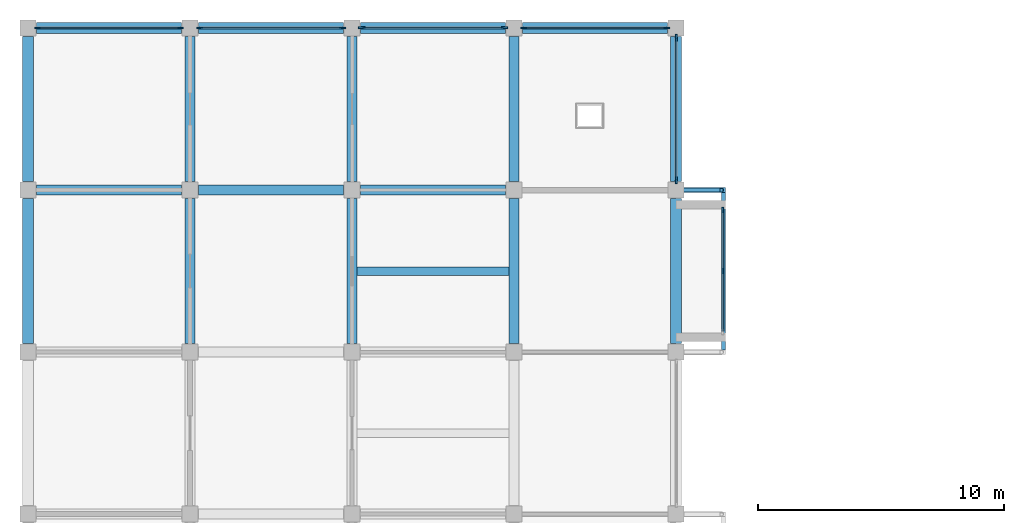
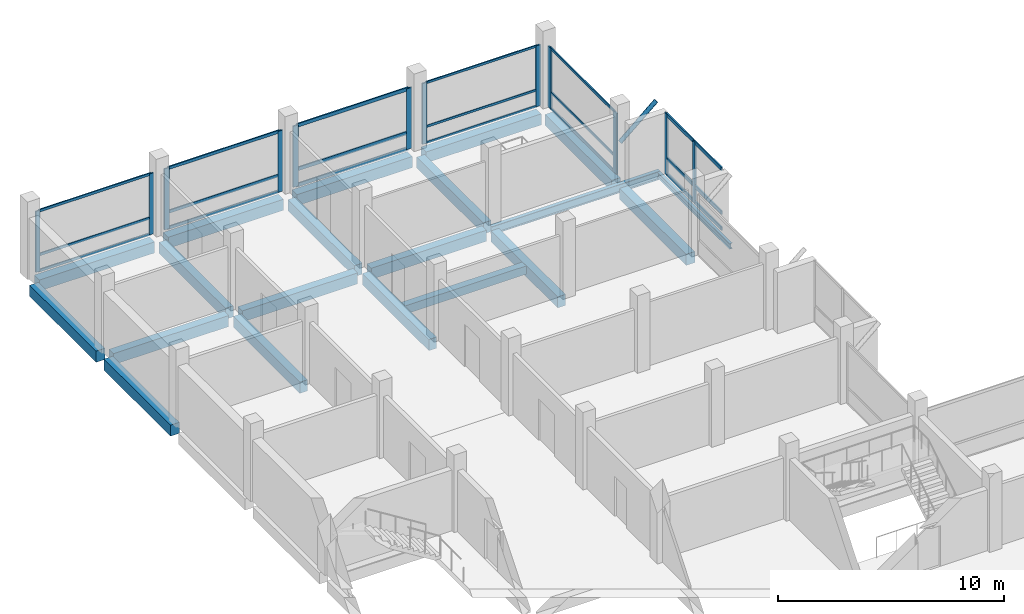
# One storey, part 5 of 10: 34 members, 20 beams, 6 elements without a shape of their own.
"""IFC4 building model written with IfcOpenShell, lengths in metres."""

from ifc_helpers import new_model, si_unit, direction, frame, origin, origin_2d, place, context, subcontext, project, spatial, rectangle, hollow_circle, i_section, extrude, material, material_profile, profile_set, type_object, element, aggregate, save


model = new_model("IFC4")

# Units and contexts
model_context = context("Model", 3, precision=1e-05, world=origin(), true_north=direction((0.0, 1.0)))
body_context = subcontext(model_context, "Body", "Model", "MODEL_VIEW")
ifc_project = project(units=[si_unit("LENGTHUNIT", "METRE"), si_unit("AREAUNIT", "SQUARE_METRE"), si_unit("VOLUMEUNIT", "CUBIC_METRE"), si_unit("PLANEANGLEUNIT", "RADIAN"), si_unit("MASSUNIT", "GRAM", prefix="KILO")], contexts=[model_context])

# Site, building, storey
site_placement = place(None, origin())
site = spatial("IfcSite", under=ifc_project, at=site_placement, CompositionType="ELEMENT")
building_placement = place(site_placement, origin())
building = spatial("IfcBuilding", under=site, at=building_placement, Name="Rusizi Kubbe Research Institute", CompositionType="ELEMENT")
storey_placement = place(building_placement, frame((0.0, 0.0, 52.199951171875)))
storey = spatial("IfcBuildingStorey", under=building, at=storey_placement, Name="L12", CompositionType="ELEMENT", Elevation=52.199951171875)

# Beams
ifc_material_1 = material(Name="Steel S355", Category="steel")
ifc_material_profile_1 = material_profile(ifc_material_1, i_section(OverallWidth=0.14990234375, OverallDepth=0.300048828125, WebThickness=0.007080078125, FlangeThickness=0.0107421875, at=origin_2d()), Name="IPE 300")
ifc_profile_set_1 = profile_set([ifc_material_profile_1], Name="Steel S355")
beam_type_1 = type_object("IfcBeamType", Name="BM-IPE300", PredefinedType="BEAM", material=ifc_profile_set_1)
beam_1_placement = place(storey_placement, frame((28.324951171875, 46.294921875, -0.4599609375), z_axis=(0.0, 1.0, 0.0), x_axis=(-1.0, 0.0, 0.0)))
element("IfcBeam", 1, at=beam_1_placement, inside=storey, type_object=beam_type_1, Name="Cumba Edge Tie Beam L12-2", PredefinedType="BEAM", context=body_context, shape_type="SweptSolid", body=[
    extrude(i_section(OverallWidth=0.14990234375, OverallDepth=0.300048828125, WebThickness=0.007080078125, FlangeThickness=0.0107421875, at=origin_2d()), origin(), (0.0, 0.0, 1.0), 6.41015625),
])
ifc_material_2 = material(Name="Steel S355", Category="steel")
ifc_material_profile_2 = material_profile(ifc_material_2, i_section(OverallWidth=0.18994140625, OverallDepth=0.449951171875, WebThickness=0.009521484375, FlangeThickness=0.0146484375, at=origin_2d()), Name="IPE 450")
ifc_profile_set_2 = profile_set([ifc_material_profile_2], Name="Steel S355")
beam_type_2 = type_object("IfcBeamType", Name="BM-IPE450", PredefinedType="BEAM", material=ifc_profile_set_2)
beam_2_placement = place(storey_placement, frame((19.800048828125, 52.800048828125, -0.534912109375), z_axis=(1.0, 0.0, 0.0), x_axis=(0.0, 1.0, 0.0)))
element("IfcBeam", 2, at=beam_2_placement, inside=storey, type_object=beam_type_2, Name="Cumba Back-Spanned Cantilever Beam L12-2N", PredefinedType="BEAM", context=body_context, shape_type="SweptSolid", body=[
    extrude(i_section(OverallWidth=0.18994140625, OverallDepth=0.449951171875, WebThickness=0.009521484375, FlangeThickness=0.0146484375, at=origin_2d()), origin(), (0.0, 0.0, 1.0), 8.599853515625),
])
ifc_material_3 = material(Name="Concrete C40/50", Category="concrete")
ifc_material_profile_3 = material_profile(ifc_material_3, rectangle(XDim=0.35009765625, YDim=0.449951171875, at=origin_2d()), Name="RC350x450")
ifc_profile_set_3 = profile_set([ifc_material_profile_3], Name="Concrete C40/50")
beam_type_3 = type_object("IfcBeamType", Name="BM-RC350x450", PredefinedType="JOIST", material=ifc_profile_set_3)
beam_3_placement = place(storey_placement, frame((13.39990234375, 49.5, -0.534912109375), z_axis=(1.0, 0.0, 0.0), x_axis=(0.0, 1.0, 0.0)))
element("IfcBeam", 3, at=beam_3_placement, inside=storey, type_object=beam_type_3, Name="Lab Stiffener Joist L12 (2,7)", PredefinedType="JOIST", context=body_context, shape_type="SweptSolid", body=[
    extrude(rectangle(XDim=0.35009765625, YDim=0.449951171875, at=origin_2d()), origin(), (0.0, 0.0, 1.0), 6.2001953125),
])
ifc_material_4 = material(Name="Concrete C40/50", Category="concrete")
ifc_material_profile_4 = material_profile(ifc_material_4, rectangle(XDim=0.39990234375, YDim=0.60009765625, at=origin_2d()), Name="RC400x600")
ifc_profile_set_4 = profile_set([ifc_material_profile_4], Name="Concrete C40/50")
beam_type_4 = type_object("IfcBeamType", Name="BM-RC400x600", PredefinedType="BEAM", material=ifc_profile_set_4)
beam_4_placement = place(storey_placement, frame((0.35009765625, 52.800048828125, -0.60986328125), z_axis=(1.0, 0.0, 0.0), x_axis=(0.0, 1.0, 0.0)))
element("IfcBeam", 4, at=beam_4_placement, inside=storey, type_object=beam_type_4, Name="Grid Beam H L12 (0,8)", PredefinedType="BEAM", context=body_context, shape_type="SweptSolid", body=[
    extrude(rectangle(XDim=0.39990234375, YDim=0.60009765625, at=origin_2d()), origin(), (0.0, 0.0, 1.0), 5.89990234375),
])
beam_5_placement = place(storey_placement, frame((6.949951171875, 52.800048828125, -0.60986328125), z_axis=(1.0, 0.0, 0.0), x_axis=(0.0, 1.0, 0.0)))
element("IfcBeam", 5, at=beam_5_placement, inside=storey, type_object=beam_type_4, Name="Grid Beam H L12 (1,8)", PredefinedType="BEAM", context=body_context, shape_type="SweptSolid", body=[
    extrude(rectangle(XDim=0.39990234375, YDim=0.60009765625, at=origin_2d()), origin(), (0.0, 0.0, 1.0), 5.900146484375),
])
for number, where, z_axis, x_axis, name in (
    (6, (13.550048828125, 52.800048828125, -0.60986328125), (1.0, 0.0, 0.0), (0.0, 1.0, 0.0), "Grid Beam H L12 (2,8)"),
    (7, (6.60009765625, 46.550048828125, -0.60986328125), (0.0, 1.0, 0.0), (-1.0, 0.0, 0.0), "Grid Beam V L12 (1,7)"),
):
    element("IfcBeam", number, at=place(storey_placement, frame(where, z_axis=z_axis, x_axis=x_axis)), inside=storey, type_object=beam_type_4, Name=name, PredefinedType="BEAM", context=body_context, shape_type="SweptSolid", body=[
        extrude(rectangle(XDim=0.39990234375, YDim=0.60009765625, at=origin_2d()), origin(), (0.0, 0.0, 1.0), 5.89990234375),
    ])
beam_6_placement = place(storey_placement, frame((6.60009765625, 53.14990234375, -0.60986328125), z_axis=(0.0, 1.0, 0.0), x_axis=(-1.0, 0.0, 0.0)))
element("IfcBeam", 8, at=beam_6_placement, inside=storey, type_object=beam_type_4, Name="Grid Beam V L12 (1,8)", PredefinedType="BEAM", context=body_context, shape_type="SweptSolid", body=[
    extrude(rectangle(XDim=0.39990234375, YDim=0.60009765625, at=origin_2d()), origin(), (0.0, 0.0, 1.0), 5.900146484375),
])
beam_7_placement = place(storey_placement, frame((13.199951171875, 46.550048828125, -0.60986328125), z_axis=(0.0, 1.0, 0.0), x_axis=(-1.0, 0.0, 0.0)))
element("IfcBeam", 9, at=beam_7_placement, inside=storey, type_object=beam_type_4, Name="Grid Beam V L12 (2,7)", PredefinedType="BEAM", context=body_context, shape_type="SweptSolid", body=[
    extrude(rectangle(XDim=0.39990234375, YDim=0.60009765625, at=origin_2d()), origin(), (0.0, 0.0, 1.0), 5.89990234375),
])
beam_8_placement = place(storey_placement, frame((13.199951171875, 53.14990234375, -0.60986328125), z_axis=(0.0, 1.0, 0.0), x_axis=(-1.0, 0.0, 0.0)))
element("IfcBeam", 10, at=beam_8_placement, inside=storey, type_object=beam_type_4, Name="Grid Beam V L12 (2,8)", PredefinedType="BEAM", context=body_context, shape_type="SweptSolid", body=[
    extrude(rectangle(XDim=0.39990234375, YDim=0.60009765625, at=origin_2d()), origin(), (0.0, 0.0, 1.0), 5.900146484375),
])
beam_9_placement = place(storey_placement, frame((19.800048828125, 46.550048828125, -0.60986328125), z_axis=(0.0, 1.0, 0.0), x_axis=(-1.0, 0.0, 0.0)))
element("IfcBeam", 11, at=beam_9_placement, inside=storey, type_object=beam_type_4, Name="Grid Beam V L12 (3,7)", PredefinedType="BEAM", context=body_context, shape_type="SweptSolid", body=[
    extrude(rectangle(XDim=0.39990234375, YDim=0.60009765625, at=origin_2d()), origin(), (0.0, 0.0, 1.0), 5.89990234375),
])
beam_10_placement = place(storey_placement, frame((19.800048828125, 53.14990234375, -0.60986328125), z_axis=(0.0, 1.0, 0.0), x_axis=(-1.0, 0.0, 0.0)))
element("IfcBeam", 12, at=beam_10_placement, inside=storey, type_object=beam_type_4, Name="Grid Beam V L12 (3,8)", PredefinedType="BEAM", context=body_context, shape_type="SweptSolid", body=[
    extrude(rectangle(XDim=0.39990234375, YDim=0.60009765625, at=origin_2d()), origin(), (0.0, 0.0, 1.0), 5.900146484375),
])
ifc_material_5 = material(Name="Concrete C40/50", Category="concrete")
ifc_material_profile_5 = material_profile(ifc_material_5, rectangle(XDim=0.449951171875, YDim=0.60009765625, at=origin_2d()), Name="RC450x600")
ifc_profile_set_5 = profile_set([ifc_material_profile_5], Name="Concrete C40/50")
beam_type_5 = type_object("IfcBeamType", Name="BM-RC450x600", PredefinedType="SPANDREL", material=ifc_profile_set_5)
beam_11_placement = place(storey_placement, frame((0.35009765625, 59.39990234375, -0.60986328125), z_axis=(1.0, 0.0, 0.0), x_axis=(0.0, 1.0, 0.0)))
element("IfcBeam", 13, at=beam_11_placement, inside=storey, type_object=beam_type_5, Name="Grid Beam H L12 (0,9)", PredefinedType="SPANDREL", context=body_context, shape_type="SweptSolid", body=[
    extrude(rectangle(XDim=0.449951171875, YDim=0.60009765625, at=origin_2d()), origin(), (0.0, 0.0, 1.0), 5.89990234375),
])
beam_12_placement = place(storey_placement, frame((6.949951171875, 59.39990234375, -0.60986328125), z_axis=(1.0, 0.0, 0.0), x_axis=(0.0, 1.0, 0.0)))
element("IfcBeam", 14, at=beam_12_placement, inside=storey, type_object=beam_type_5, Name="Grid Beam H L12 (1,9)", PredefinedType="SPANDREL", context=body_context, shape_type="SweptSolid", body=[
    extrude(rectangle(XDim=0.449951171875, YDim=0.60009765625, at=origin_2d()), origin(), (0.0, 0.0, 1.0), 5.900146484375),
])
beam_13_placement = place(storey_placement, frame((13.550048828125, 59.39990234375, -0.60986328125), z_axis=(1.0, 0.0, 0.0), x_axis=(0.0, 1.0, 0.0)))
element("IfcBeam", 15, at=beam_13_placement, inside=storey, type_object=beam_type_5, Name="Grid Beam H L12 (2,9)", PredefinedType="SPANDREL", context=body_context, shape_type="SweptSolid", body=[
    extrude(rectangle(XDim=0.449951171875, YDim=0.60009765625, at=origin_2d()), origin(), (0.0, 0.0, 1.0), 5.89990234375),
])
beam_14_placement = place(storey_placement, frame((20.14990234375, 59.39990234375, -0.60986328125), z_axis=(1.0, 0.0, 0.0), x_axis=(0.0, 1.0, 0.0)))
element("IfcBeam", 16, at=beam_14_placement, inside=storey, type_object=beam_type_5, Name="Grid Beam H L12 (3,9)", PredefinedType="SPANDREL", context=body_context, shape_type="SweptSolid", body=[
    extrude(rectangle(XDim=0.449951171875, YDim=0.60009765625, at=origin_2d()), origin(), (0.0, 0.0, 1.0), 5.900146484375),
])
beam_15_placement = place(storey_placement, frame((0.0, 46.550048828125, -0.60986328125), z_axis=(0.0, 1.0, 0.0), x_axis=(-1.0, 0.0, 0.0)))
element("IfcBeam", 17, at=beam_15_placement, inside=storey, type_object=beam_type_5, Name="Grid Beam V L12 (0,7)", PredefinedType="SPANDREL", context=body_context, shape_type="SweptSolid", body=[
    extrude(rectangle(XDim=0.449951171875, YDim=0.60009765625, at=origin_2d()), origin(), (0.0, 0.0, 1.0), 5.89990234375),
])
beam_16_placement = place(storey_placement, frame((0.0, 53.14990234375, -0.60986328125), z_axis=(0.0, 1.0, 0.0), x_axis=(-1.0, 0.0, 0.0)))
element("IfcBeam", 18, at=beam_16_placement, inside=storey, type_object=beam_type_5, Name="Grid Beam V L12 (0,8)", PredefinedType="SPANDREL", context=body_context, shape_type="SweptSolid", body=[
    extrude(rectangle(XDim=0.449951171875, YDim=0.60009765625, at=origin_2d()), origin(), (0.0, 0.0, 1.0), 5.900146484375),
])
beam_17_placement = place(storey_placement, frame((26.39990234375, 46.550048828125, -0.60986328125), z_axis=(0.0, 1.0, 0.0), x_axis=(-1.0, 0.0, 0.0)))
element("IfcBeam", 19, at=beam_17_placement, inside=storey, type_object=beam_type_5, Name="Grid Beam V L12 (4,7)", PredefinedType="SPANDREL", context=body_context, shape_type="SweptSolid", body=[
    extrude(rectangle(XDim=0.449951171875, YDim=0.60009765625, at=origin_2d()), origin(), (0.0, 0.0, 1.0), 5.89990234375),
])
beam_18_placement = place(storey_placement, frame((26.39990234375, 53.14990234375, -0.60986328125), z_axis=(0.0, 1.0, 0.0), x_axis=(-1.0, 0.0, 0.0)))
element("IfcBeam", 20, at=beam_18_placement, inside=storey, type_object=beam_type_5, Name="Grid Beam V L12 (4,8)", PredefinedType="SPANDREL", context=body_context, shape_type="SweptSolid", body=[
    extrude(rectangle(XDim=0.449951171875, YDim=0.60009765625, at=origin_2d()), origin(), (0.0, 0.0, 1.0), 5.900146484375),
])

# Member
ifc_material_6 = material(Name="Steel S355", Category="steel")
ifc_material_profile_6 = material_profile(ifc_material_6, hollow_circle(Radius=0.109619140625, WallThickness=0.008056640625, at=origin_2d()), Name="CHS 219.1x8.0")
ifc_profile_set_6 = profile_set([ifc_material_profile_6], Name="Steel S355")
member_type_1 = type_object("IfcMemberType", Name="MB-CHS219", PredefinedType="BRACE", material=ifc_profile_set_6)
member_1_placement = place(storey_placement, frame((26.39990234375, 52.800048828125, 1.900146484375), z_axis=(0.756409887843, 0.0, 0.654097914362), x_axis=(0.0, 1.0, 0.0)))
element("IfcMember", 21, at=member_1_placement, inside=storey, type_object=member_type_1, Name="Cumba Diagonal Corbel Brace L13-2N", PredefinedType="BRACE", context=body_context, shape_type="SweptSolid", body=[
    extrude(hollow_circle(Radius=0.109619140625, WallThickness=0.008056640625, at=origin_2d()), origin(), (0.0, 0.0, 1.0), 2.44580078125),
])

# Curtain wall, members
ifc_material_7 = material(Name="Thermally Broken Aluminium and Low-E Glazing", Category="aluminium")
curtain_wall_type_1 = type_object("IfcCurtainWallType", Name="CW-14", PredefinedType="NOTDEFINED", material=ifc_material_7)
curtain_wall_1_placement = place(storey_placement, origin())
curtain_wall_1 = element("IfcCurtainWall", 22, at=curtain_wall_1_placement, inside=storey, type_object=curtain_wall_type_1, Name="Unitised Facade Curtain Wall CW-L12-H-00-09", PredefinedType="NOTDEFINED")
ifc_material_8 = material(Name="Aluminium Alloy 6063-T6", Category="aluminium")
ifc_material_profile_7 = material_profile(ifc_material_8, rectangle(XDim=0.070068359375, YDim=0.219970703125, at=origin_2d()), Name="ALU-M 70x220")
ifc_profile_set_7 = profile_set([ifc_material_profile_7], Name="Aluminium Alloy 6063-T6")
member_type_2 = type_object("IfcMemberType", Name="ML-04", PredefinedType="MULLION", material=ifc_profile_set_7)
member_2_placement = place(storey_placement, frame((0.389892578125, 59.39990234375, 0.0), z_axis=(0.0, 0.0, 1.0), x_axis=(0.0, 1.0, 0.0)))
member_2 = element("IfcMember", 23, at=member_2_placement, type_object=member_type_2, Name="CW-14 mullion 1", PredefinedType="MULLION", context=body_context, shape_type="SweptSolid", body=[
    extrude(rectangle(XDim=0.070068359375, YDim=0.219970703125, at=origin_2d()), origin(), (0.0, 0.0, 1.0), 3.300048828125),
])
member_3_placement = place(storey_placement, frame((6.2099609375, 59.39990234375, 0.0), z_axis=(0.0, 0.0, 1.0), x_axis=(0.0, 1.0, 0.0)))
member_3 = element("IfcMember", 24, at=member_3_placement, type_object=member_type_2, Name="CW-14 mullion 2", PredefinedType="MULLION", context=body_context, shape_type="SweptSolid", body=[
    extrude(rectangle(XDim=0.070068359375, YDim=0.219970703125, at=origin_2d()), origin(), (0.0, 0.0, 1.0), 3.300048828125),
])

ifc_material_9 = material(Name="Thermally Broken Aluminium and Low-E Glazing", Category="aluminium")
curtain_wall_type_2 = type_object("IfcCurtainWallType", Name="CW-04", PredefinedType="NOTDEFINED", material=ifc_material_9)
curtain_wall_2_placement = place(storey_placement, origin())
curtain_wall_2 = element("IfcCurtainWall", 25, at=curtain_wall_2_placement, inside=storey, type_object=curtain_wall_type_2, Name="Cumba Glazed Curtain Wall CW-CUMBA-L12-135", PredefinedType="NOTDEFINED")
member_4_placement = place(storey_placement, frame((28.300048828125, 49.5, 0.0), z_axis=(0.0, 0.0, 1.0), x_axis=(-1.0, 0.0, 0.0)))
member_4 = element("IfcMember", 26, at=member_4_placement, type_object=member_type_2, Name="CW-04 mullion 2", PredefinedType="MULLION", context=body_context, shape_type="SweptSolid", body=[
    extrude(rectangle(XDim=0.070068359375, YDim=0.219970703125, at=origin_2d()), origin(), (0.0, 0.0, 1.0), 3.300048828125),
])
member_5_placement = place(storey_placement, frame((28.300048828125, 51.982421875, 0.0), z_axis=(0.0, 0.0, 1.0), x_axis=(-1.0, 0.0, 0.0)))
member_5 = element("IfcMember", 27, at=member_5_placement, type_object=member_type_2, Name="CW-04 mullion 3", PredefinedType="MULLION", context=body_context, shape_type="SweptSolid", body=[
    extrude(rectangle(XDim=0.070068359375, YDim=0.219970703125, at=origin_2d()), origin(), (0.0, 0.0, 1.0), 3.300048828125),
])

ifc_material_10 = material(Name="Thermally Broken Aluminium and Low-E Glazing", Category="aluminium")
curtain_wall_type_3 = type_object("IfcCurtainWallType", Name="CW-15", PredefinedType="NOTDEFINED", material=ifc_material_10)
curtain_wall_3_placement = place(storey_placement, origin())
curtain_wall_3 = element("IfcCurtainWall", 28, at=curtain_wall_3_placement, inside=storey, type_object=curtain_wall_type_3, Name="Unitised Facade Curtain Wall CW-L12-H-01-09", PredefinedType="NOTDEFINED")
ifc_material_11 = material(Name="Aluminium Alloy 6063-T6", Category="aluminium")
ifc_material_profile_8 = material_profile(ifc_material_11, rectangle(XDim=0.074951171875, YDim=0.25, at=origin_2d()), Name="ALU-M 75x250")
ifc_profile_set_8 = profile_set([ifc_material_profile_8], Name="Aluminium Alloy 6063-T6")
member_type_3 = type_object("IfcMemberType", Name="ML-05", PredefinedType="MULLION", material=ifc_profile_set_8)
member_6_placement = place(storey_placement, frame((6.992431640625, 59.39990234375, 0.0), z_axis=(0.0, 0.0, 1.0), x_axis=(0.0, 1.0, 0.0)))
member_6 = element("IfcMember", 29, at=member_6_placement, type_object=member_type_3, Name="CW-15 mullion 1", PredefinedType="MULLION", context=body_context, shape_type="SweptSolid", body=[
    extrude(rectangle(XDim=0.074951171875, YDim=0.25, at=origin_2d()), origin(), (0.0, 0.0, 1.0), 3.300048828125),
])
member_7_placement = place(storey_placement, frame((12.8076171875, 59.39990234375, 0.0), z_axis=(0.0, 0.0, 1.0), x_axis=(0.0, 1.0, 0.0)))
member_7 = element("IfcMember", 30, at=member_7_placement, type_object=member_type_3, Name="CW-15 mullion 2", PredefinedType="MULLION", context=body_context, shape_type="SweptSolid", body=[
    extrude(rectangle(XDim=0.074951171875, YDim=0.25, at=origin_2d()), origin(), (0.0, 0.0, 1.0), 3.300048828125),
])

curtain_wall_4_placement = place(storey_placement, origin())
curtain_wall_4 = element("IfcCurtainWall", 31, at=curtain_wall_4_placement, inside=storey, type_object=curtain_wall_type_3, Name="Unitised Facade Curtain Wall CW-L12-H-03-09", PredefinedType="NOTDEFINED")
member_8_placement = place(storey_placement, frame((20.1923828125, 59.39990234375, 0.0), z_axis=(0.0, 0.0, 1.0), x_axis=(0.0, 1.0, 0.0)))
member_8 = element("IfcMember", 32, at=member_8_placement, type_object=member_type_3, Name="CW-15 mullion 1", PredefinedType="MULLION", context=body_context, shape_type="SweptSolid", body=[
    extrude(rectangle(XDim=0.074951171875, YDim=0.25, at=origin_2d()), origin(), (0.0, 0.0, 1.0), 3.300048828125),
])
member_9_placement = place(storey_placement, frame((26.007568359375, 59.39990234375, 0.0), z_axis=(0.0, 0.0, 1.0), x_axis=(0.0, 1.0, 0.0)))
member_9 = element("IfcMember", 33, at=member_9_placement, type_object=member_type_3, Name="CW-15 mullion 2", PredefinedType="MULLION", context=body_context, shape_type="SweptSolid", body=[
    extrude(rectangle(XDim=0.074951171875, YDim=0.25, at=origin_2d()), origin(), (0.0, 0.0, 1.0), 3.300048828125),
])

curtain_wall_5_placement = place(storey_placement, origin())
curtain_wall_5 = element("IfcCurtainWall", 34, at=curtain_wall_5_placement, inside=storey, type_object=curtain_wall_type_1, Name="Unitised Facade Curtain Wall CW-L12-H-02-09", PredefinedType="NOTDEFINED")
ifc_material_12 = material(Name="Aluminium Alloy 6063-T6", Category="aluminium")
ifc_material_profile_9 = material_profile(ifc_material_12, rectangle(XDim=0.080078125, YDim=0.280029296875, at=origin_2d()), Name="ALU-M 80x280")
ifc_profile_set_9 = profile_set([ifc_material_profile_9], Name="Aluminium Alloy 6063-T6")
member_type_4 = type_object("IfcMemberType", Name="ML-06", PredefinedType="MULLION", material=ifc_profile_set_9)
member_10_placement = place(storey_placement, frame((13.594970703125, 59.39990234375, 0.0), z_axis=(0.0, 0.0, 1.0), x_axis=(0.0, 1.0, 0.0)))
member_10 = element("IfcMember", 35, at=member_10_placement, type_object=member_type_4, Name="CW-14 mullion 1", PredefinedType="MULLION", context=body_context, shape_type="SweptSolid", body=[
    extrude(rectangle(XDim=0.080078125, YDim=0.280029296875, at=origin_2d()), origin(), (0.0, 0.0, 1.0), 3.300048828125),
])
member_11_placement = place(storey_placement, frame((19.405029296875, 59.39990234375, 0.0), z_axis=(0.0, 0.0, 1.0), x_axis=(0.0, 1.0, 0.0)))
member_11 = element("IfcMember", 36, at=member_11_placement, type_object=member_type_4, Name="CW-14 mullion 2", PredefinedType="MULLION", context=body_context, shape_type="SweptSolid", body=[
    extrude(rectangle(XDim=0.080078125, YDim=0.280029296875, at=origin_2d()), origin(), (0.0, 0.0, 1.0), 3.300048828125),
])

curtain_wall_6_placement = place(storey_placement, origin())
curtain_wall_6 = element("IfcCurtainWall", 37, at=curtain_wall_6_placement, inside=storey, type_object=curtain_wall_type_1, Name="Unitised Facade Curtain Wall CW-L12-V-04-08", PredefinedType="NOTDEFINED")
member_12_placement = place(storey_placement, frame((26.39990234375, 53.195068359375, 0.0), z_axis=(0.0, 0.0, 1.0), x_axis=(-1.0, 0.0, 0.0)))
member_12 = element("IfcMember", 38, at=member_12_placement, type_object=member_type_4, Name="CW-14 mullion 1", PredefinedType="MULLION", context=body_context, shape_type="SweptSolid", body=[
    extrude(rectangle(XDim=0.080078125, YDim=0.280029296875, at=origin_2d()), origin(), (0.0, 0.0, 1.0), 3.300048828125),
])
member_13_placement = place(storey_placement, frame((26.39990234375, 59.0048828125, 0.0), z_axis=(0.0, 0.0, 1.0), x_axis=(-1.0, 0.0, 0.0)))
member_13 = element("IfcMember", 39, at=member_13_placement, type_object=member_type_4, Name="CW-14 mullion 2", PredefinedType="MULLION", context=body_context, shape_type="SweptSolid", body=[
    extrude(rectangle(XDim=0.080078125, YDim=0.280029296875, at=origin_2d()), origin(), (0.0, 0.0, 1.0), 3.300048828125),
])

# Member
ifc_material_13 = material(Name="Aluminium Alloy 6063-T6", Category="aluminium")
ifc_material_profile_10 = material_profile(ifc_material_13, rectangle(XDim=0.06005859375, YDim=0.1201171875, at=origin_2d()), Name="ALU-T 60x120")
ifc_profile_set_10 = profile_set([ifc_material_profile_10], Name="Aluminium Alloy 6063-T6")
member_type_5 = type_object("IfcMemberType", Name="TR-01", PredefinedType="USERDEFINED", material=ifc_profile_set_10)
member_14_placement = place(storey_placement, frame((20.22998046875, 59.39990234375, 0.030029296875), z_axis=(1.0, 0.0, 0.0), x_axis=(0.0, 1.0, 0.0)))
member_14 = element("IfcMember", 40, at=member_14_placement, type_object=member_type_5, Name="CW-15 transom 1.1", ObjectType="TRANSOM", PredefinedType="USERDEFINED", context=body_context, shape_type="SweptSolid", body=[
    extrude(rectangle(XDim=0.06005859375, YDim=0.1201171875, at=origin_2d()), origin(), (0.0, 0.0, 1.0), 5.739990234375),
])

member_15_placement = place(storey_placement, frame((20.22998046875, 59.39990234375, 0.900146484375), z_axis=(1.0, 0.0, 0.0), x_axis=(0.0, 1.0, 0.0)))
member_15 = element("IfcMember", 41, at=member_15_placement, type_object=member_type_5, Name="CW-15 transom 1.2", ObjectType="TRANSOM", PredefinedType="USERDEFINED", context=body_context, shape_type="SweptSolid", body=[
    extrude(rectangle(XDim=0.06005859375, YDim=0.1201171875, at=origin_2d()), origin(), (0.0, 0.0, 1.0), 5.739990234375),
])

member_16_placement = place(storey_placement, frame((20.22998046875, 59.39990234375, 3.27001953125), z_axis=(1.0, 0.0, 0.0), x_axis=(0.0, 1.0, 0.0)))
member_16 = element("IfcMember", 42, at=member_16_placement, type_object=member_type_5, Name="CW-15 transom 1.3", ObjectType="TRANSOM", PredefinedType="USERDEFINED", context=body_context, shape_type="SweptSolid", body=[
    extrude(rectangle(XDim=0.06005859375, YDim=0.1201171875, at=origin_2d()), origin(), (0.0, 0.0, 1.0), 5.739990234375),
])

aggregate(curtain_wall_4, [member_8, member_9, member_14, member_15, member_16])

ifc_material_14 = material(Name="Aluminium Alloy 6063-T6", Category="aluminium")
ifc_material_profile_11 = material_profile(ifc_material_14, rectangle(XDim=0.06005859375, YDim=0.139892578125, at=origin_2d()), Name="ALU-T 60x140")
ifc_profile_set_11 = profile_set([ifc_material_profile_11], Name="Aluminium Alloy 6063-T6")
member_type_6 = type_object("IfcMemberType", Name="TR-02", PredefinedType="USERDEFINED", material=ifc_profile_set_11)
member_17_placement = place(storey_placement, frame((0.425048828125, 59.39990234375, 0.030029296875), z_axis=(1.0, 0.0, 0.0), x_axis=(0.0, 1.0, 0.0)))
member_17 = element("IfcMember", 43, at=member_17_placement, type_object=member_type_6, Name="CW-14 transom 1.1", ObjectType="TRANSOM", PredefinedType="USERDEFINED", context=body_context, shape_type="SweptSolid", body=[
    extrude(rectangle(XDim=0.06005859375, YDim=0.139892578125, at=origin_2d()), origin(), (0.0, 0.0, 1.0), 5.75),
])

member_18_placement = place(storey_placement, frame((0.425048828125, 59.39990234375, 0.900146484375), z_axis=(1.0, 0.0, 0.0), x_axis=(0.0, 1.0, 0.0)))
member_18 = element("IfcMember", 44, at=member_18_placement, type_object=member_type_6, Name="CW-14 transom 1.2", ObjectType="TRANSOM", PredefinedType="USERDEFINED", context=body_context, shape_type="SweptSolid", body=[
    extrude(rectangle(XDim=0.06005859375, YDim=0.139892578125, at=origin_2d()), origin(), (0.0, 0.0, 1.0), 5.75),
])

member_19_placement = place(storey_placement, frame((0.425048828125, 59.39990234375, 3.27001953125), z_axis=(1.0, 0.0, 0.0), x_axis=(0.0, 1.0, 0.0)))
member_19 = element("IfcMember", 45, at=member_19_placement, type_object=member_type_6, Name="CW-14 transom 1.3", ObjectType="TRANSOM", PredefinedType="USERDEFINED", context=body_context, shape_type="SweptSolid", body=[
    extrude(rectangle(XDim=0.06005859375, YDim=0.139892578125, at=origin_2d()), origin(), (0.0, 0.0, 1.0), 5.75),
])

aggregate(curtain_wall_1, [member_2, member_3, member_17, member_18, member_19])

member_20_placement = place(storey_placement, frame((26.39990234375, 53.235107421875, 0.030029296875), z_axis=(0.0, 1.0, 0.0), x_axis=(-1.0, 0.0, 0.0)))
member_20 = element("IfcMember", 46, at=member_20_placement, type_object=member_type_6, Name="CW-14 transom 1.1", ObjectType="TRANSOM", PredefinedType="USERDEFINED", context=body_context, shape_type="SweptSolid", body=[
    extrude(rectangle(XDim=0.06005859375, YDim=0.139892578125, at=origin_2d()), origin(), (0.0, 0.0, 1.0), 5.72998046875),
])

member_21_placement = place(storey_placement, frame((26.39990234375, 53.235107421875, 0.900146484375), z_axis=(0.0, 1.0, 0.0), x_axis=(-1.0, 0.0, 0.0)))
member_21 = element("IfcMember", 47, at=member_21_placement, type_object=member_type_6, Name="CW-14 transom 1.2", ObjectType="TRANSOM", PredefinedType="USERDEFINED", context=body_context, shape_type="SweptSolid", body=[
    extrude(rectangle(XDim=0.06005859375, YDim=0.139892578125, at=origin_2d()), origin(), (0.0, 0.0, 1.0), 5.72998046875),
])

member_22_placement = place(storey_placement, frame((26.39990234375, 53.235107421875, 3.27001953125), z_axis=(0.0, 1.0, 0.0), x_axis=(-1.0, 0.0, 0.0)))
member_22 = element("IfcMember", 48, at=member_22_placement, type_object=member_type_6, Name="CW-14 transom 1.3", ObjectType="TRANSOM", PredefinedType="USERDEFINED", context=body_context, shape_type="SweptSolid", body=[
    extrude(rectangle(XDim=0.06005859375, YDim=0.139892578125, at=origin_2d()), origin(), (0.0, 0.0, 1.0), 5.72998046875),
])

aggregate(curtain_wall_6, [member_12, member_13, member_20, member_21, member_22])

ifc_material_15 = material(Name="Aluminium Alloy 6063-T6", Category="aluminium")
ifc_material_profile_12 = material_profile(ifc_material_15, rectangle(XDim=0.06494140625, YDim=0.159912109375, at=origin_2d()), Name="ALU-T 65x160")
ifc_profile_set_12 = profile_set([ifc_material_profile_12], Name="Aluminium Alloy 6063-T6")
member_type_7 = type_object("IfcMemberType", Name="TR-03", PredefinedType="USERDEFINED", material=ifc_profile_set_12)
member_23_placement = place(storey_placement, frame((7.030029296875, 59.39990234375, 0.032470703125), z_axis=(1.0, 0.0, 0.0), x_axis=(0.0, 1.0, 0.0)))
member_23 = element("IfcMember", 49, at=member_23_placement, type_object=member_type_7, Name="CW-15 transom 1.1", ObjectType="TRANSOM", PredefinedType="USERDEFINED", context=body_context, shape_type="SweptSolid", body=[
    extrude(rectangle(XDim=0.06494140625, YDim=0.159912109375, at=origin_2d()), origin(), (0.0, 0.0, 1.0), 5.739990234375),
])

member_24_placement = place(storey_placement, frame((7.030029296875, 59.39990234375, 0.900146484375), z_axis=(1.0, 0.0, 0.0), x_axis=(0.0, 1.0, 0.0)))
member_24 = element("IfcMember", 50, at=member_24_placement, type_object=member_type_7, Name="CW-15 transom 1.2", ObjectType="TRANSOM", PredefinedType="USERDEFINED", context=body_context, shape_type="SweptSolid", body=[
    extrude(rectangle(XDim=0.06494140625, YDim=0.159912109375, at=origin_2d()), origin(), (0.0, 0.0, 1.0), 5.739990234375),
])

member_25_placement = place(storey_placement, frame((7.030029296875, 59.39990234375, 3.267578125), z_axis=(1.0, 0.0, 0.0), x_axis=(0.0, 1.0, 0.0)))
member_25 = element("IfcMember", 51, at=member_25_placement, type_object=member_type_7, Name="CW-15 transom 1.3", ObjectType="TRANSOM", PredefinedType="USERDEFINED", context=body_context, shape_type="SweptSolid", body=[
    extrude(rectangle(XDim=0.06494140625, YDim=0.159912109375, at=origin_2d()), origin(), (0.0, 0.0, 1.0), 5.739990234375),
])

aggregate(curtain_wall_3, [member_6, member_7, member_23, member_24, member_25])

ifc_material_16 = material(Name="Aluminium Alloy 6063-T6", Category="aluminium")
ifc_material_profile_13 = material_profile(ifc_material_16, rectangle(XDim=0.070068359375, YDim=0.18994140625, at=origin_2d()), Name="ALU-T 70x190")
ifc_profile_set_13 = profile_set([ifc_material_profile_13], Name="Aluminium Alloy 6063-T6")
member_type_8 = type_object("IfcMemberType", Name="TR-04", PredefinedType="USERDEFINED", material=ifc_profile_set_13)
member_26_placement = place(storey_placement, frame((13.635009765625, 59.39990234375, 0.03515625), z_axis=(1.0, 0.0, 0.0), x_axis=(0.0, 1.0, 0.0)))
member_26 = element("IfcMember", 52, at=member_26_placement, type_object=member_type_8, Name="CW-14 transom 1.1", ObjectType="TRANSOM", PredefinedType="USERDEFINED", context=body_context, shape_type="SweptSolid", body=[
    extrude(rectangle(XDim=0.070068359375, YDim=0.18994140625, at=origin_2d()), origin(), (0.0, 0.0, 1.0), 5.72998046875),
])

member_27_placement = place(storey_placement, frame((13.635009765625, 59.39990234375, 0.900146484375), z_axis=(1.0, 0.0, 0.0), x_axis=(0.0, 1.0, 0.0)))
member_27 = element("IfcMember", 53, at=member_27_placement, type_object=member_type_8, Name="CW-14 transom 1.2", ObjectType="TRANSOM", PredefinedType="USERDEFINED", context=body_context, shape_type="SweptSolid", body=[
    extrude(rectangle(XDim=0.070068359375, YDim=0.18994140625, at=origin_2d()), origin(), (0.0, 0.0, 1.0), 5.72998046875),
])

member_28_placement = place(storey_placement, frame((13.635009765625, 59.39990234375, 3.26513671875), z_axis=(1.0, 0.0, 0.0), x_axis=(0.0, 1.0, 0.0)))
member_28 = element("IfcMember", 54, at=member_28_placement, type_object=member_type_8, Name="CW-14 transom 1.3", ObjectType="TRANSOM", PredefinedType="USERDEFINED", context=body_context, shape_type="SweptSolid", body=[
    extrude(rectangle(XDim=0.070068359375, YDim=0.18994140625, at=origin_2d()), origin(), (0.0, 0.0, 1.0), 5.72998046875),
])

aggregate(curtain_wall_5, [member_10, member_11, member_26, member_27, member_28])

member_29_placement = place(storey_placement, frame((28.300048828125, 47.052490234375, 0.03515625), z_axis=(0.0, 1.0, 0.0), x_axis=(-1.0, 0.0, 0.0)))
member_29 = element("IfcMember", 55, at=member_29_placement, type_object=member_type_8, Name="CW-04 transom 1.1", ObjectType="TRANSOM", PredefinedType="USERDEFINED", context=body_context, shape_type="SweptSolid", body=[
    extrude(rectangle(XDim=0.070068359375, YDim=0.18994140625, at=origin_2d()), origin(), (0.0, 0.0, 1.0), 2.41259765625),
])

member_30_placement = place(storey_placement, frame((28.300048828125, 47.052490234375, 0.900146484375), z_axis=(0.0, 1.0, 0.0), x_axis=(-1.0, 0.0, 0.0)))
member_30 = element("IfcMember", 56, at=member_30_placement, type_object=member_type_8, Name="CW-04 transom 1.2", ObjectType="TRANSOM", PredefinedType="USERDEFINED", context=body_context, shape_type="SweptSolid", body=[
    extrude(rectangle(XDim=0.070068359375, YDim=0.18994140625, at=origin_2d()), origin(), (0.0, 0.0, 1.0), 2.41259765625),
])

member_31_placement = place(storey_placement, frame((28.300048828125, 47.052490234375, 3.26513671875), z_axis=(0.0, 1.0, 0.0), x_axis=(-1.0, 0.0, 0.0)))
member_31 = element("IfcMember", 57, at=member_31_placement, type_object=member_type_8, Name="CW-04 transom 1.3", ObjectType="TRANSOM", PredefinedType="USERDEFINED", context=body_context, shape_type="SweptSolid", body=[
    extrude(rectangle(XDim=0.070068359375, YDim=0.18994140625, at=origin_2d()), origin(), (0.0, 0.0, 1.0), 2.41259765625),
])

member_32_placement = place(storey_placement, frame((28.300048828125, 49.534912109375, 0.03515625), z_axis=(0.0, 1.0, 0.0), x_axis=(-1.0, 0.0, 0.0)))
member_32 = element("IfcMember", 58, at=member_32_placement, type_object=member_type_8, Name="CW-04 transom 2.1", ObjectType="TRANSOM", PredefinedType="USERDEFINED", context=body_context, shape_type="SweptSolid", body=[
    extrude(rectangle(XDim=0.070068359375, YDim=0.18994140625, at=origin_2d()), origin(), (0.0, 0.0, 1.0), 2.41259765625),
])

member_33_placement = place(storey_placement, frame((28.300048828125, 49.534912109375, 0.900146484375), z_axis=(0.0, 1.0, 0.0), x_axis=(-1.0, 0.0, 0.0)))
member_33 = element("IfcMember", 59, at=member_33_placement, type_object=member_type_8, Name="CW-04 transom 2.2", ObjectType="TRANSOM", PredefinedType="USERDEFINED", context=body_context, shape_type="SweptSolid", body=[
    extrude(rectangle(XDim=0.070068359375, YDim=0.18994140625, at=origin_2d()), origin(), (0.0, 0.0, 1.0), 2.41259765625),
])

member_34_placement = place(storey_placement, frame((28.300048828125, 49.534912109375, 3.26513671875), z_axis=(0.0, 1.0, 0.0), x_axis=(-1.0, 0.0, 0.0)))
member_34 = element("IfcMember", 60, at=member_34_placement, type_object=member_type_8, Name="CW-04 transom 2.3", ObjectType="TRANSOM", PredefinedType="USERDEFINED", context=body_context, shape_type="SweptSolid", body=[
    extrude(rectangle(XDim=0.070068359375, YDim=0.18994140625, at=origin_2d()), origin(), (0.0, 0.0, 1.0), 2.41259765625),
])

aggregate(curtain_wall_2, [member_4, member_5, member_29, member_30, member_31, member_32, member_33, member_34])

save(model, "model.ifc")
